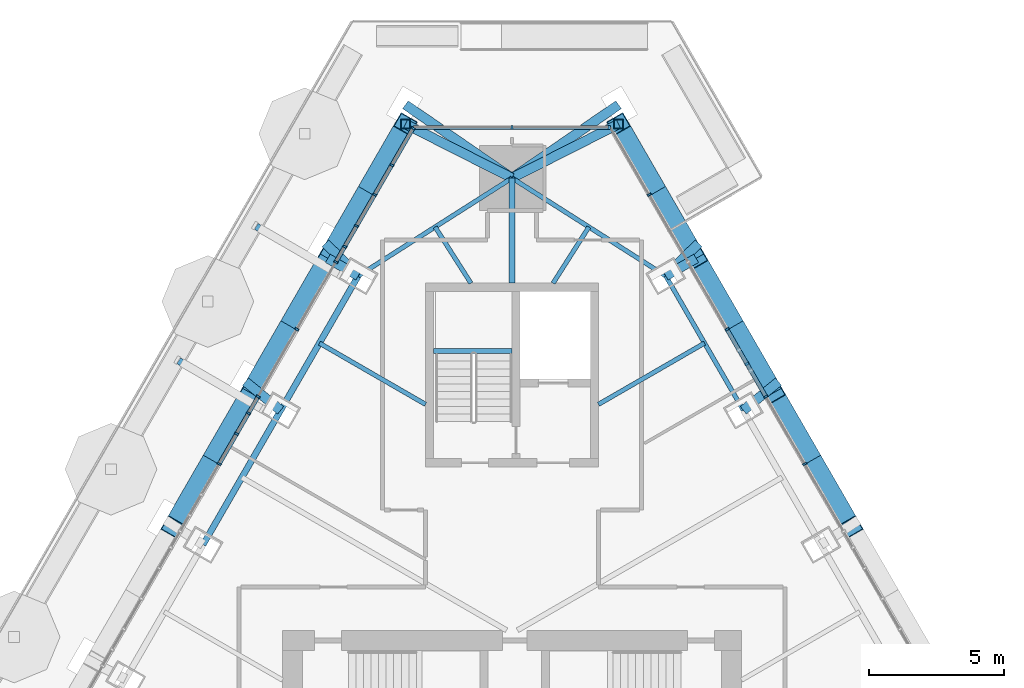
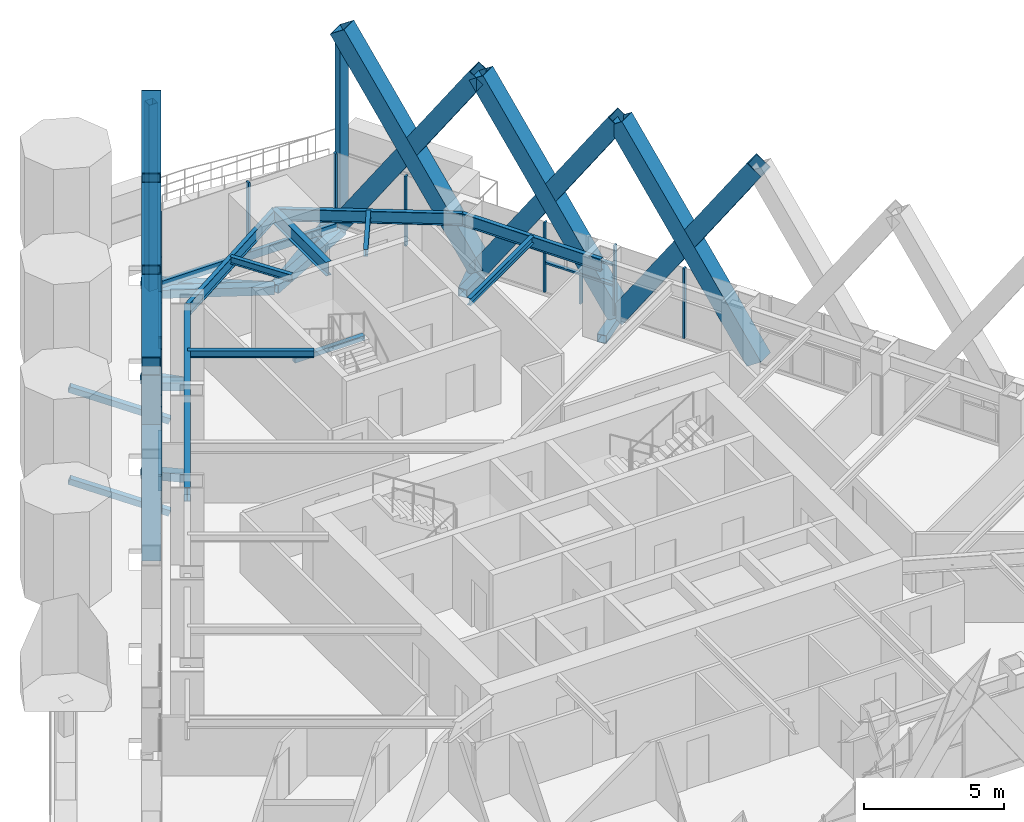
# One storey, part 7 of 24: 50 members, 10 beams, 3 elements without a shape of their own.
"""IFC4 building model written with IfcOpenShell, lengths in metres."""

from ifc_helpers import new_model, si_unit, direction, frame, origin, origin_2d, place, context, subcontext, project, spatial, rectangle, hollow_rectangle, i_section, extrude, material, layer, layer_set, material_profile, profile_set, type_object, element, aggregate, save


model = new_model("IFC4")

# Units and contexts
model_context = context("Model", 3, precision=1e-05, world=origin(), true_north=direction((0.0, 1.0)))
body_context = subcontext(model_context, "Body", "Model", "MODEL_VIEW")
ifc_project = project(units=[si_unit("LENGTHUNIT", "METRE"), si_unit("AREAUNIT", "SQUARE_METRE"), si_unit("VOLUMEUNIT", "CUBIC_METRE"), si_unit("PLANEANGLEUNIT", "RADIAN"), si_unit("MASSUNIT", "GRAM", prefix="KILO")], contexts=[model_context])

# Site, building, storey
site_placement = place(None, origin())
site = spatial("IfcSite", under=ifc_project, at=site_placement, CompositionType="ELEMENT")
building_placement = place(site_placement, origin())
building = spatial("IfcBuilding", under=site, at=building_placement, Name="Firuza Gate Tower and Library", CompositionType="ELEMENT")
storey_placement = place(building_placement, frame((0.0, 0.0, 323.10009765625)))
storey = spatial("IfcBuildingStorey", under=building, at=storey_placement, Name="L79", CompositionType="ELEMENT", Elevation=323.10009765625)

# Members
ifc_material_1 = material(Name="Steel S355", Category="steel")
ifc_material_profile_1 = material_profile(ifc_material_1, hollow_rectangle(XDim=0.699951171875, YDim=0.699951171875, WallThickness=0.030029296875, at=origin_2d()))
ifc_profile_set_1 = profile_set([ifc_material_profile_1], Name="Steel S355")
member_type_1 = type_object("IfcMemberType", Name="BU700x700x30 Lattice brace", PredefinedType="BRACE", material=ifc_profile_set_1)
for number, where, z_axis, x_axis, name in (
    (1, (87.5625, 85.569091796875, 0.0), (-0.279958234284, 0.484905557785, 0.828546913027), (-0.866027043304, -0.499997160258, 0.0), "Lattice brace E 21.5R"),
    (2, (84.6904296875, 90.543701171875, 0.0), (0.279958234284, -0.484905557785, 0.828546913027), (0.866027043304, 0.499997160258, 0.0), "Lattice brace E 21.5L"),
):
    element("IfcMember", number, at=place(storey_placement, frame(where, z_axis=z_axis, x_axis=x_axis)), inside=storey, type_object=member_type_1, Name=name, PredefinedType="BRACE", context=body_context, shape_type="SweptSolid", body=[
        extrude(hollow_rectangle(XDim=0.699951171875, YDim=0.699951171875, WallThickness=0.030029296875, at=origin_2d()), origin(), (0.0, 0.0, 1.0), 10.259033203125),
    ])
for number, where, z_axis, x_axis, name in (
    (3, (84.6904296875, 90.543701171875, 0.0), (-0.279961464902, 0.484887355268, 0.82855647416), (-0.866016417261, -0.500015564793, 0.0), "Lattice brace E 21.6R"),
    (4, (81.818359375, 95.51806640625, 0.0), (0.279961464902, -0.484887355268, 0.82855647416), (0.866016417261, 0.500015564793, 0.0), "Lattice brace E 21.6L"),
):
    element("IfcMember", number, at=place(storey_placement, frame(where, z_axis=z_axis, x_axis=x_axis)), inside=storey, type_object=member_type_1, Name=name, PredefinedType="BRACE", context=body_context, shape_type="SweptSolid", body=[
        extrude(hollow_rectangle(XDim=0.699951171875, YDim=0.699951171875, WallThickness=0.030029296875, at=origin_2d()), origin(), (0.0, 0.0, 1.0), 10.2587890625),
    ])
for number, where, z_axis, x_axis, name in (
    (5, (81.818359375, 95.51806640625, 0.0), (-0.279958234284, 0.484905557785, 0.828546913027), (-0.866027043304, -0.499997160258, 0.0), "Lattice brace E 21.7R"),
    (6, (78.9462890625, 100.49267578125, 0.0), (0.279958234284, -0.484905557785, 0.828546913027), (0.866027043304, 0.499997160258, 0.0), "Lattice brace E 21.7L"),
    (7, (71.0537109375, 100.49267578125, 0.0), (-0.279958234284, -0.484905557785, 0.828546913027), (0.866027043304, -0.499997160258, 0.0), "Lattice brace W 21.1R"),
    (8, (68.181640625, 95.51806640625, 0.0), (0.279958234284, 0.484905557785, 0.828546913027), (-0.866027043304, 0.499997160258, 0.0), "Lattice brace W 21.1L"),
):
    element("IfcMember", number, at=place(storey_placement, frame(where, z_axis=z_axis, x_axis=x_axis)), inside=storey, type_object=member_type_1, Name=name, PredefinedType="BRACE", context=body_context, shape_type="SweptSolid", body=[
        extrude(hollow_rectangle(XDim=0.699951171875, YDim=0.699951171875, WallThickness=0.030029296875, at=origin_2d()), origin(), (0.0, 0.0, 1.0), 10.259033203125),
    ])
for number, where, z_axis, x_axis, name in (
    (9, (68.181640625, 95.51806640625, 0.0), (-0.279961464902, -0.484887355268, 0.82855647416), (0.866016417261, -0.500015564793, 0.0), "Lattice brace W 21.2R"),
    (10, (65.3095703125, 90.543701171875, 0.0), (0.279961464902, 0.484887355268, 0.82855647416), (-0.866016417261, 0.500015564793, 0.0), "Lattice brace W 21.2L"),
):
    element("IfcMember", number, at=place(storey_placement, frame(where, z_axis=z_axis, x_axis=x_axis)), inside=storey, type_object=member_type_1, Name=name, PredefinedType="BRACE", context=body_context, shape_type="SweptSolid", body=[
        extrude(hollow_rectangle(XDim=0.699951171875, YDim=0.699951171875, WallThickness=0.030029296875, at=origin_2d()), origin(), (0.0, 0.0, 1.0), 10.2587890625),
    ])
for number, where, z_axis, x_axis, name in (
    (11, (65.3095703125, 90.543701171875, 0.0), (-0.279958234284, -0.484905557785, 0.828546913027), (0.866027043304, -0.499997160258, 0.0), "Lattice brace W 21.3R"),
    (12, (62.4375, 85.569091796875, 0.0), (0.279958234284, 0.484905557785, 0.828546913027), (-0.866027043304, 0.499997160258, 0.0), "Lattice brace W 21.3L"),
):
    element("IfcMember", number, at=place(storey_placement, frame(where, z_axis=z_axis, x_axis=x_axis)), inside=storey, type_object=member_type_1, Name=name, PredefinedType="BRACE", context=body_context, shape_type="SweptSolid", body=[
        extrude(hollow_rectangle(XDim=0.699951171875, YDim=0.699951171875, WallThickness=0.030029296875, at=origin_2d()), origin(), (0.0, 0.0, 1.0), 10.259033203125),
    ])

# Curtain wall, members
ifc_material_2 = material(Name="Aluminium 6063-T6", Category="aluminium")
ifc_layer_1 = layer(ifc_material_2, 0.14990234375)
ifc_layer_set_1 = layer_set([ifc_layer_1], Name="Unitised curtain wall, residences")
curtain_wall_type_1 = type_object("IfcCurtainWallType", Name="Unitised curtain wall, residences", PredefinedType="NOTDEFINED", material=ifc_layer_set_1)
placement = place(storey_placement, origin())
curtain_wall_1 = element("IfcCurtainWall", 13, at=placement, inside=storey, type_object=curtain_wall_type_1, Name="CW3 L79 E face", PredefinedType="NOTDEFINED")
ifc_material_3 = material(Name="Aluminium 6063-T6", Category="aluminium")
ifc_material_profile_2 = material_profile(ifc_material_3, rectangle(XDim=0.14990234375, YDim=0.080078125, at=origin_2d()))
ifc_profile_set_2 = profile_set([ifc_material_profile_2], Name="Aluminium 6063-T6")
member_type_2 = type_object("IfcMemberType", Name="Curtain wall mullion 80x150", PredefinedType="MULLION", material=ifc_profile_set_2)
member_1_placement = place(storey_placement, frame((85.8388671875, 87.904541015625, 0.14990234375), z_axis=(0.0, 0.0, 1.0), x_axis=(-0.866025403784, -0.5, 0.0)))
member_1 = element("IfcMember", 14, at=member_1_placement, type_object=member_type_2, Name="Mullion", PredefinedType="MULLION", context=body_context, shape_type="SweptSolid", body=[
    extrude(rectangle(XDim=0.14990234375, YDim=0.080078125, at=origin_2d()), origin(), (0.0, 0.0, 1.0), 3.050048828125),
])
member_2_placement = place(storey_placement, frame((84.399658203125, 90.397216796875, 0.14990234375), z_axis=(0.0, 0.0, 1.0), x_axis=(-0.866025403784, -0.5, 0.0)))
member_2 = element("IfcMember", 15, at=member_2_placement, type_object=member_type_2, Name="Mullion", PredefinedType="MULLION", context=body_context, shape_type="SweptSolid", body=[
    extrude(rectangle(XDim=0.14990234375, YDim=0.080078125, at=origin_2d()), origin(), (0.0, 0.0, 1.0), 3.050048828125),
])
member_3_placement = place(storey_placement, frame((82.960693359375, 92.889892578125, 0.14990234375), z_axis=(0.0, 0.0, 1.0), x_axis=(-0.866025403784, -0.5, 0.0)))
member_3 = element("IfcMember", 16, at=member_3_placement, type_object=member_type_2, Name="Mullion", PredefinedType="MULLION", context=body_context, shape_type="SweptSolid", body=[
    extrude(rectangle(XDim=0.14990234375, YDim=0.080078125, at=origin_2d()), origin(), (0.0, 0.0, 1.0), 3.050048828125),
])
member_4_placement = place(storey_placement, frame((80.082275390625, 97.875, 0.14990234375), z_axis=(0.0, 0.0, 1.0), x_axis=(-0.866025403784, -0.5, 0.0)))
member_4 = element("IfcMember", 17, at=member_4_placement, type_object=member_type_2, Name="Mullion", PredefinedType="MULLION", context=body_context, shape_type="SweptSolid", body=[
    extrude(rectangle(XDim=0.14990234375, YDim=0.080078125, at=origin_2d()), origin(), (0.0, 0.0, 1.0), 3.050048828125),
])
member_5_placement = place(storey_placement, frame((83.69873046875, 91.611083984375, 0.14990234375), z_axis=(0.0, 0.0, 1.0), x_axis=(-0.866025403784, -0.5, 0.0)))
member_5 = element("IfcMember", 18, at=member_5_placement, type_object=member_type_2, Name="Mullion", PredefinedType="MULLION", context=body_context, shape_type="SweptSolid", body=[
    extrude(rectangle(XDim=0.14990234375, YDim=0.080078125, at=origin_2d()), origin(), (0.0, 0.0, 1.0), 1.260009765625),
])

ifc_material_4 = material(Name="Aluminium 6063-T6", Category="aluminium")
ifc_layer_2 = layer(ifc_material_4, 0.14990234375)
ifc_layer_set_2 = layer_set([ifc_layer_2], Name="Corner curtain wall, chamfers")
curtain_wall_type_2 = type_object("IfcCurtainWallType", Name="Corner curtain wall, chamfers", PredefinedType="NOTDEFINED", material=ifc_layer_set_2)
curtain_wall_2 = element("IfcCurtainWall", 19, at=placement, inside=storey, type_object=curtain_wall_type_2, Name="CW4 L79 N corner", PredefinedType="NOTDEFINED")
member_6_placement = place(storey_placement, frame((78.603271484375, 100.36767578125, 0.14990234375), z_axis=(0.0, 0.0, 1.0), x_axis=(0.0, -1.0, 0.0)))
member_6 = element("IfcMember", 20, at=member_6_placement, type_object=member_type_2, Name="Mullion", PredefinedType="MULLION", context=body_context, shape_type="SweptSolid", body=[
    extrude(rectangle(XDim=0.14990234375, YDim=0.080078125, at=origin_2d()), origin(), (0.0, 0.0, 1.0), 3.050048828125),
])
member_7_placement = place(storey_placement, frame((75.0, 100.36767578125, 0.14990234375), z_axis=(0.0, 0.0, 1.0), x_axis=(0.0, -1.0, 0.0)))
member_7 = element("IfcMember", 21, at=member_7_placement, type_object=member_type_2, Name="Mullion", PredefinedType="MULLION", context=body_context, shape_type="SweptSolid", body=[
    extrude(rectangle(XDim=0.14990234375, YDim=0.080078125, at=origin_2d()), origin(), (0.0, 0.0, 1.0), 3.050048828125),
])

curtain_wall_3 = element("IfcCurtainWall", 22, at=placement, inside=storey, type_object=curtain_wall_type_1, Name="CW3 L79 W face", PredefinedType="NOTDEFINED")
member_8_placement = place(storey_placement, frame((71.336669921875, 100.3330078125, 0.14990234375), z_axis=(0.0, 0.0, 1.0), x_axis=(0.866025403784, -0.5, 0.0)))
member_8 = element("IfcMember", 23, at=member_8_placement, type_object=member_type_2, Name="Mullion", PredefinedType="MULLION", context=body_context, shape_type="SweptSolid", body=[
    extrude(rectangle(XDim=0.14990234375, YDim=0.080078125, at=origin_2d()), origin(), (0.0, 0.0, 1.0), 3.050048828125),
])
member_9_placement = place(storey_placement, frame((69.917724609375, 97.875, 0.14990234375), z_axis=(0.0, 0.0, 1.0), x_axis=(0.866025403784, -0.5, 0.0)))
member_9 = element("IfcMember", 24, at=member_9_placement, type_object=member_type_2, Name="Mullion", PredefinedType="MULLION", context=body_context, shape_type="SweptSolid", body=[
    extrude(rectangle(XDim=0.14990234375, YDim=0.080078125, at=origin_2d()), origin(), (0.0, 0.0, 1.0), 3.050048828125),
])
member_10_placement = place(storey_placement, frame((68.478515625, 95.38232421875, 0.14990234375), z_axis=(0.0, 0.0, 1.0), x_axis=(0.866025403784, -0.5, 0.0)))
member_10 = element("IfcMember", 25, at=member_10_placement, type_object=member_type_2, Name="Mullion", PredefinedType="MULLION", context=body_context, shape_type="SweptSolid", body=[
    extrude(rectangle(XDim=0.14990234375, YDim=0.080078125, at=origin_2d()), origin(), (0.0, 0.0, 1.0), 3.050048828125),
])
member_11_placement = place(storey_placement, frame((67.039306640625, 92.889892578125, 0.14990234375), z_axis=(0.0, 0.0, 1.0), x_axis=(0.866025403784, -0.5, 0.0)))
member_11 = element("IfcMember", 26, at=member_11_placement, type_object=member_type_2, Name="Mullion", PredefinedType="MULLION", context=body_context, shape_type="SweptSolid", body=[
    extrude(rectangle(XDim=0.14990234375, YDim=0.080078125, at=origin_2d()), origin(), (0.0, 0.0, 1.0), 3.050048828125),
])
member_12_placement = place(storey_placement, frame((65.600341796875, 90.397216796875, 0.14990234375), z_axis=(0.0, 0.0, 1.0), x_axis=(0.866025403784, -0.5, 0.0)))
member_12 = element("IfcMember", 27, at=member_12_placement, type_object=member_type_2, Name="Mullion", PredefinedType="MULLION", context=body_context, shape_type="SweptSolid", body=[
    extrude(rectangle(XDim=0.14990234375, YDim=0.080078125, at=origin_2d()), origin(), (0.0, 0.0, 1.0), 3.050048828125),
])
member_13_placement = place(storey_placement, frame((64.1611328125, 87.904541015625, 0.14990234375), z_axis=(0.0, 0.0, 1.0), x_axis=(0.866025403784, -0.5, 0.0)))
member_13 = element("IfcMember", 28, at=member_13_placement, type_object=member_type_2, Name="Mullion", PredefinedType="MULLION", context=body_context, shape_type="SweptSolid", body=[
    extrude(rectangle(XDim=0.14990234375, YDim=0.080078125, at=origin_2d()), origin(), (0.0, 0.0, 1.0), 3.050048828125),
])
member_14_placement = place(storey_placement, frame((70.548828125, 98.968505859375, 0.14990234375), z_axis=(0.0, 0.0, 1.0), x_axis=(0.866025403784, -0.5, 0.0)))
member_14 = element("IfcMember", 29, at=member_14_placement, type_object=member_type_2, Name="Mullion", PredefinedType="MULLION", context=body_context, shape_type="SweptSolid", body=[
    extrude(rectangle(XDim=0.14990234375, YDim=0.080078125, at=origin_2d()), origin(), (0.0, 0.0, 1.0), 1.485107421875),
])
member_15_placement = place(storey_placement, frame((69.249267578125, 96.71728515625, 0.14990234375), z_axis=(0.0, 0.0, 1.0), x_axis=(0.866025403784, -0.5, 0.0)))
member_15 = element("IfcMember", 30, at=member_15_placement, type_object=member_type_2, Name="Mullion", PredefinedType="MULLION", context=body_context, shape_type="SweptSolid", body=[
    extrude(rectangle(XDim=0.14990234375, YDim=0.080078125, at=origin_2d()), origin(), (0.0, 0.0, 1.0), 1.485107421875),
])
member_16_placement = place(storey_placement, frame((68.808837890625, 95.95458984375, 1.71484375), z_axis=(0.0, 0.0, 1.0), x_axis=(0.866025403784, -0.5, 0.0)))
member_16 = element("IfcMember", 31, at=member_16_placement, type_object=member_type_2, Name="Mullion", PredefinedType="MULLION", context=body_context, shape_type="SweptSolid", body=[
    extrude(rectangle(XDim=0.14990234375, YDim=0.080078125, at=origin_2d()), origin(), (0.0, 0.0, 1.0), 1.485107421875),
])
member_17_placement = place(storey_placement, frame((64.804931640625, 89.01953125, 0.14990234375), z_axis=(0.0, 0.0, 1.0), x_axis=(0.866025403784, -0.5, 0.0)))
member_17 = element("IfcMember", 32, at=member_17_placement, type_object=member_type_2, Name="Mullion", PredefinedType="MULLION", context=body_context, shape_type="SweptSolid", body=[
    extrude(rectangle(XDim=0.14990234375, YDim=0.080078125, at=origin_2d()), origin(), (0.0, 0.0, 1.0), 1.485107421875),
])
member_18_placement = place(storey_placement, frame((65.245361328125, 89.7822265625, 1.71484375), z_axis=(0.0, 0.0, 1.0), x_axis=(0.866025403784, -0.5, 0.0)))
member_18 = element("IfcMember", 33, at=member_18_placement, type_object=member_type_2, Name="Mullion", PredefinedType="MULLION", context=body_context, shape_type="SweptSolid", body=[
    extrude(rectangle(XDim=0.14990234375, YDim=0.080078125, at=origin_2d()), origin(), (0.0, 0.0, 1.0), 1.485107421875),
])

# Member
ifc_material_5 = material(Name="Aluminium 6063-T6", Category="aluminium")
ifc_material_profile_3 = material_profile(ifc_material_5, rectangle(XDim=0.14990234375, YDim=0.35009765625, at=origin_2d()))
ifc_profile_set_3 = profile_set([ifc_material_profile_3], Name="Aluminium 6063-T6")
member_type_3 = type_object("IfcMemberType", Name="Curtain wall transom 350x150", PredefinedType="USERDEFINED", material=ifc_profile_set_3)
member_19_placement = place(storey_placement, frame((78.643310546875, 100.36767578125, -0.025146484375), z_axis=(-1.0, 0.0, 0.0), x_axis=(0.0, -1.0, 0.0)))
member_19 = element("IfcMember", 34, at=member_19_placement, type_object=member_type_3, Name="Transom", ObjectType="TRANSOM", PredefinedType="USERDEFINED", context=body_context, shape_type="SweptSolid", body=[
    extrude(rectangle(XDim=0.14990234375, YDim=0.35009765625, at=origin_2d()), origin(), (0.0, 0.0, 1.0), 7.28662109375),
])

aggregate(curtain_wall_2, [member_6, member_7, member_19])

ifc_material_6 = material(Name="Aluminium 6063-T6", Category="aluminium")
ifc_material_profile_4 = material_profile(ifc_material_6, rectangle(XDim=0.14990234375, YDim=0.080078125, at=origin_2d()))
ifc_profile_set_4 = profile_set([ifc_material_profile_4], Name="Aluminium 6063-T6")
member_type_4 = type_object("IfcMemberType", Name="Curtain wall transom 80x150", PredefinedType="USERDEFINED", material=ifc_profile_set_4)
member_20_placement = place(storey_placement, frame((84.379638671875, 90.431884765625, 1.449951171875), z_axis=(-0.500014476097, 0.866017045845, 0.0), x_axis=(-0.866017045845, -0.500014476097, 0.0)))
member_20 = element("IfcMember", 35, at=member_20_placement, type_object=member_type_4, Name="Transom", ObjectType="TRANSOM", PredefinedType="USERDEFINED", context=body_context, shape_type="SweptSolid", body=[
    extrude(rectangle(XDim=0.14990234375, YDim=0.080078125, at=origin_2d()), origin(), (0.0, 0.0, 1.0), 2.79833984375),
])

member_21_placement = place(storey_placement, frame((84.379638671875, 90.431884765625, 2.324951171875), z_axis=(-0.500014476097, 0.866017045845, 0.0), x_axis=(-0.866017045845, -0.500014476097, 0.0)))
member_21 = element("IfcMember", 36, at=member_21_placement, type_object=member_type_4, Name="Transom", ObjectType="TRANSOM", PredefinedType="USERDEFINED", context=body_context, shape_type="SweptSolid", body=[
    extrude(rectangle(XDim=0.14990234375, YDim=0.080078125, at=origin_2d()), origin(), (0.0, 0.0, 1.0), 2.79833984375),
])

aggregate(curtain_wall_1, [member_1, member_2, member_3, member_4, member_5, member_20, member_21])

member_22_placement = place(storey_placement, frame((71.336669921875, 100.3330078125, 1.6748046875), z_axis=(-0.500014476097, -0.866017045845, 0.0), x_axis=(0.866017045845, -0.500014476097, 0.0)))
member_22 = element("IfcMember", 37, at=member_22_placement, type_object=member_type_4, Name="Transom", ObjectType="TRANSOM", PredefinedType="USERDEFINED", context=body_context, shape_type="SweptSolid", body=[
    extrude(rectangle(XDim=0.14990234375, YDim=0.080078125, at=origin_2d()), origin(), (0.0, 0.0, 1.0), 2.79833984375),
])

member_23_placement = place(storey_placement, frame((69.897705078125, 97.84033203125, 1.6748046875), z_axis=(-0.500014476097, -0.866017045845, 0.0), x_axis=(0.866017045845, -0.500014476097, 0.0)))
member_23 = element("IfcMember", 38, at=member_23_placement, type_object=member_type_4, Name="Transom", ObjectType="TRANSOM", PredefinedType="USERDEFINED", context=body_context, shape_type="SweptSolid", body=[
    extrude(rectangle(XDim=0.14990234375, YDim=0.080078125, at=origin_2d()), origin(), (0.0, 0.0, 1.0), 2.79833984375),
])

member_24_placement = place(storey_placement, frame((65.580322265625, 90.362548828125, 1.6748046875), z_axis=(-0.500014476097, -0.866017045845, 0.0), x_axis=(0.866017045845, -0.500014476097, 0.0)))
member_24 = element("IfcMember", 39, at=member_24_placement, type_object=member_type_4, Name="Transom", ObjectType="TRANSOM", PredefinedType="USERDEFINED", context=body_context, shape_type="SweptSolid", body=[
    extrude(rectangle(XDim=0.14990234375, YDim=0.080078125, at=origin_2d()), origin(), (0.0, 0.0, 1.0), 2.79833984375),
])

aggregate(curtain_wall_3, [member_8, member_9, member_10, member_11, member_12, member_13, member_14, member_22, member_15, member_16, member_23, member_17, member_18, member_24])

# Members
ifc_material_7 = material(Name="Steel S355", Category="steel")
ifc_material_profile_5 = material_profile(ifc_material_7, hollow_rectangle(XDim=0.25390625, YDim=0.25390625, WallThickness=0.01171875, at=origin_2d()))
ifc_profile_set_5 = profile_set([ifc_material_profile_5], Name="Steel S355")
member_type_5 = type_object("IfcMemberType", Name="HSS254x254x13 Tray strut", PredefinedType="BRACE", material=ifc_profile_set_5)
for number, where, z_axis, x_axis, name in (
    (40, (68.607421875, 94.92578125, -1.670166015625), (-0.807122458648, 0.466007352202, 0.362478253747), (-0.500012057535, -0.866018442252, 0.0), "Tray strut L79 col:L78:W1"),
    (41, (65.735595703125, 89.951416015625, -1.670166015625), (-0.807122458648, 0.466007352202, 0.362478253747), (-0.500012057535, -0.866018442252, 0.0), "Tray strut L79 col:L78:W2"),
):
    element("IfcMember", number, at=place(storey_placement, frame(where, z_axis=z_axis, x_axis=x_axis)), inside=storey, type_object=member_type_5, Name=name, PredefinedType="BRACE", context=body_context, shape_type="SweptSolid", body=[
        extrude(hollow_rectangle(XDim=0.25390625, YDim=0.25390625, WallThickness=0.01171875, at=origin_2d()), origin(), (0.0, 0.0, 1.0), 3.86279296875),
    ])
ifc_material_8 = material(Name="Steel S355", Category="steel")
ifc_material_profile_6 = material_profile(ifc_material_8, hollow_rectangle(XDim=0.355712890625, YDim=0.355712890625, WallThickness=0.014892578125, at=origin_2d()))
ifc_profile_set_6 = profile_set([ifc_material_profile_6], Name="Steel S355")
member_type_6 = type_object("IfcMemberType", Name="HSS356x356x16 Lattice corner stile", PredefinedType="BRACE", material=ifc_profile_set_6)
for number, where, z_axis, x_axis, name in (
    (42, (78.9462890625, 100.49267578125, -0.14013671875), (0.0, 0.0, 1.0), (1.0, 0.0, 0.0), "Lattice corner stile E 21.B"),
    (43, (71.0537109375, 100.49267578125, -0.14013671875), (0.0, 0.0, 1.0), (1.0, 0.0, 0.0), "Lattice corner stile W 21.A"),
):
    element("IfcMember", number, at=place(storey_placement, frame(where, z_axis=z_axis, x_axis=x_axis)), inside=storey, type_object=member_type_6, Name=name, PredefinedType="BRACE", context=body_context, shape_type="SweptSolid", body=[
        extrude(hollow_rectangle(XDim=0.355712890625, YDim=0.355712890625, WallThickness=0.014892578125, at=origin_2d()), origin(), (0.0, 0.0, 1.0), 8.14013671875),
    ])
ifc_material_9 = material(Name="Steel S355", Category="steel")
ifc_material_profile_7 = material_profile(ifc_material_9, hollow_rectangle(XDim=0.355712890625, YDim=0.355712890625, WallThickness=0.014892578125, at=origin_2d()))
ifc_profile_set_7 = profile_set([ifc_material_profile_7], Name="Steel S355")
member_type_7 = type_object("IfcMemberType", Name="HSS356x356x16 Lattice node tie", PredefinedType="BRACE", material=ifc_profile_set_7)
member_25_placement = place(storey_placement, frame((75.0, 98.49267578125, -0.320068359375), z_axis=(0.824226369594, 0.566260445084, 0.0), x_axis=(-0.566260445084, 0.824226369594, 0.0)))
element("IfcMember", 44, at=member_25_placement, inside=storey, type_object=member_type_7, Name="Lattice node tie E L79 565", PredefinedType="BRACE", context=body_context, shape_type="SweptSolid", body=[
    extrude(hollow_rectangle(XDim=0.355712890625, YDim=0.355712890625, WallThickness=0.014892578125, at=origin_2d()), origin(), (0.0, 0.0, 1.0), 4.787841796875),
])
member_26_placement = place(storey_placement, frame((75.0, 98.49267578125, -0.320068359375), z_axis=(0.891985934506, 0.452063151168, 0.0), x_axis=(-0.452063151168, 0.891985934506, 0.0)))
element("IfcMember", 45, at=member_26_placement, inside=storey, type_object=member_type_7, Name="Lattice node tie E L79 566", PredefinedType="BRACE", context=body_context, shape_type="SweptSolid", body=[
    extrude(hollow_rectangle(XDim=0.355712890625, YDim=0.355712890625, WallThickness=0.014892578125, at=origin_2d()), origin(), (0.0, 0.0, 1.0), 4.424072265625),
])
member_27_placement = place(storey_placement, frame((80.692626953125, 94.8681640625, -0.320068359375), z_axis=(0.70860164126, 0.7056087542, 0.0), x_axis=(-0.7056087542, 0.70860164126, 0.0)))
element("IfcMember", 46, at=member_27_placement, inside=storey, type_object=member_type_7, Name="Lattice node tie E L79 567", PredefinedType="BRACE", context=body_context, shape_type="SweptSolid", body=[
    extrude(hollow_rectangle(XDim=0.355712890625, YDim=0.355712890625, WallThickness=0.014892578125, at=origin_2d()), origin(), (0.0, 0.0, 1.0), 1.713134765625),
])
member_28_placement = place(storey_placement, frame((80.692626953125, 94.8681640625, -0.320068359375), z_axis=(0.86603858612, 0.49997716683, 0.0), x_axis=(-0.49997716683, 0.86603858612, 0.0)))
element("IfcMember", 47, at=member_28_placement, inside=storey, type_object=member_type_7, Name="Lattice node tie E L79 568", PredefinedType="BRACE", context=body_context, shape_type="SweptSolid", body=[
    extrude(hollow_rectangle(XDim=0.355712890625, YDim=0.355712890625, WallThickness=0.014892578125, at=origin_2d()), origin(), (0.0, 0.0, 1.0), 1.2998046875),
])
for number, where, z_axis, x_axis, name in (
    (48, (83.564697265625, 89.8935546875, -0.320068359375), (0.776416788861, 0.630219779105, 0.0), (-0.630219779105, 0.776416788861, 0.0), "Lattice node tie E L79 569"),
    (49, (66.435302734375, 89.8935546875, -0.320068359375), (-0.776416788861, 0.630219779105, 0.0), (-0.630219779105, -0.776416788861, 0.0), "Lattice node tie W L79 596"),
):
    element("IfcMember", number, at=place(storey_placement, frame(where, z_axis=z_axis, x_axis=x_axis)), inside=storey, type_object=member_type_7, Name=name, PredefinedType="BRACE", context=body_context, shape_type="SweptSolid", body=[
        extrude(hollow_rectangle(XDim=0.355712890625, YDim=0.355712890625, WallThickness=0.014892578125, at=origin_2d()), origin(), (0.0, 0.0, 1.0), 1.676513671875),
    ])
member_29_placement = place(storey_placement, frame((69.307373046875, 94.8681640625, -0.320068359375), z_axis=(-0.70860164126, 0.7056087542, 0.0), x_axis=(-0.7056087542, -0.70860164126, 0.0)))
element("IfcMember", 50, at=member_29_placement, inside=storey, type_object=member_type_7, Name="Lattice node tie W L79 597", PredefinedType="BRACE", context=body_context, shape_type="SweptSolid", body=[
    extrude(hollow_rectangle(XDim=0.355712890625, YDim=0.355712890625, WallThickness=0.014892578125, at=origin_2d()), origin(), (0.0, 0.0, 1.0), 1.713134765625),
])
member_30_placement = place(storey_placement, frame((69.307373046875, 94.8681640625, -0.320068359375), z_axis=(-0.86603858612, 0.49997716683, 0.0), x_axis=(-0.49997716683, -0.86603858612, 0.0)))
element("IfcMember", 51, at=member_30_placement, inside=storey, type_object=member_type_7, Name="Lattice node tie W L79 598", PredefinedType="BRACE", context=body_context, shape_type="SweptSolid", body=[
    extrude(hollow_rectangle(XDim=0.355712890625, YDim=0.355712890625, WallThickness=0.014892578125, at=origin_2d()), origin(), (0.0, 0.0, 1.0), 1.2998046875),
])
member_31_placement = place(storey_placement, frame((75.0, 98.49267578125, -0.320068359375), z_axis=(-0.824226369594, 0.566260445084, 0.0), x_axis=(-0.566260445084, -0.824226369594, 0.0)))
element("IfcMember", 52, at=member_31_placement, inside=storey, type_object=member_type_7, Name="Lattice node tie W L79 599", PredefinedType="BRACE", context=body_context, shape_type="SweptSolid", body=[
    extrude(hollow_rectangle(XDim=0.355712890625, YDim=0.355712890625, WallThickness=0.014892578125, at=origin_2d()), origin(), (0.0, 0.0, 1.0), 4.787841796875),
])
member_32_placement = place(storey_placement, frame((75.0, 98.49267578125, -0.320068359375), z_axis=(-0.891985934506, 0.452063151168, 0.0), x_axis=(-0.452063151168, -0.891985934506, 0.0)))
element("IfcMember", 53, at=member_32_placement, inside=storey, type_object=member_type_7, Name="Lattice node tie W L79 600", PredefinedType="BRACE", context=body_context, shape_type="SweptSolid", body=[
    extrude(hollow_rectangle(XDim=0.355712890625, YDim=0.355712890625, WallThickness=0.014892578125, at=origin_2d()), origin(), (0.0, 0.0, 1.0), 4.424072265625),
])

# Beams
ifc_material_10 = material(Name="Concrete C35/45", Category="concrete")
ifc_material_profile_8 = material_profile(ifc_material_10, rectangle(XDim=0.199951171875, YDim=0.199951171875, at=origin_2d()))
ifc_profile_set_8 = profile_set([ifc_material_profile_8], Name="Concrete C35/45")
beam_type_1 = type_object("IfcBeamType", Name="Stair landing bearer 200x200", PredefinedType="BEAM", material=ifc_profile_set_8)
beam_1_placement = place(storey_placement, frame((75.0, 92.090087890625, 1.449951171875), z_axis=(-1.0, 0.0, 0.0), x_axis=(0.0, -1.0, 0.0)))
element("IfcBeam", 54, at=beam_1_placement, inside=storey, type_object=beam_type_1, Name="Landing bearer L79 stair 3", PredefinedType="BEAM", context=body_context, shape_type="SweptSolid", body=[
    extrude(rectangle(XDim=0.199951171875, YDim=0.199951171875, at=origin_2d()), origin(), (0.0, 0.0, 1.0), 2.89990234375),
])
ifc_material_11 = material(Name="Steel S355", Category="steel")
ifc_material_profile_9 = material_profile(ifc_material_11, i_section(OverallWidth=0.1650390625, OverallDepth=0.31005859375, WebThickness=0.005859375, FlangeThickness=0.009765625, at=origin_2d()))
ifc_profile_set_9 = profile_set([ifc_material_profile_9], Name="Steel S355")
beam_type_2 = type_object("IfcBeamType", Name="W310x39 Floor beam", PredefinedType="JOIST", material=ifc_profile_set_9)
beam_2_placement = place(storey_placement, frame((82.128662109375, 92.380859375, 3.044921875), z_axis=(-0.866042194538, -0.499970916434, 0.0), x_axis=(0.499970916434, -0.866042194538, 0.0)))
element("IfcBeam", 55, at=beam_2_placement, inside=storey, type_object=beam_type_2, Name="Floor beam L79 s54", PredefinedType="JOIST", context=body_context, shape_type="SweptSolid", body=[
    extrude(i_section(OverallWidth=0.1650390625, OverallDepth=0.31005859375, WebThickness=0.005859375, FlangeThickness=0.009765625, at=origin_2d()), origin(), (0.0, 0.0, 1.0), 4.536376953125),
])
for number, where, z_axis, x_axis, name in (
    (56, (77.84619140625, 96.680419921875, 3.044921875), (-0.537054838033, -0.843547331775, 0.0), (0.843547331775, -0.537054838033, 0.0), "Floor beam L79 s60"),
    (57, (72.15380859375, 96.680419921875, 3.044921875), (0.537054838033, -0.843547331775, 0.0), (0.843547331775, 0.537054838033, 0.0), "Floor beam L79 s70"),
):
    element("IfcBeam", number, at=place(storey_placement, frame(where, z_axis=z_axis, x_axis=x_axis)), inside=storey, type_object=beam_type_2, Name=name, PredefinedType="JOIST", context=body_context, shape_type="SweptSolid", body=[
        extrude(i_section(OverallWidth=0.1650390625, OverallDepth=0.31005859375, WebThickness=0.005859375, FlangeThickness=0.009765625, at=origin_2d()), origin(), (0.0, 0.0, 1.0), 2.466064453125),
    ])
beam_3_placement = place(storey_placement, frame((67.871337890625, 92.380859375, 3.044921875), z_axis=(0.866042194538, -0.499970916434, 0.0), x_axis=(0.499970916434, 0.866042194538, 0.0)))
element("IfcBeam", 58, at=beam_3_placement, inside=storey, type_object=beam_type_2, Name="Floor beam L79 s80", PredefinedType="JOIST", context=body_context, shape_type="SweptSolid", body=[
    extrude(i_section(OverallWidth=0.1650390625, OverallDepth=0.31005859375, WebThickness=0.005859375, FlangeThickness=0.009765625, at=origin_2d()), origin(), (0.0, 0.0, 1.0), 4.536376953125),
])
ifc_material_12 = material(Name="Steel S355", Category="steel")
ifc_material_profile_10 = material_profile(ifc_material_12, i_section(OverallWidth=0.166015625, OverallDepth=0.534912109375, WebThickness=0.01025390625, FlangeThickness=0.0166015625, at=origin_2d()))
ifc_profile_set_10 = profile_set([ifc_material_profile_10], Name="Steel S355")
beam_type_3 = type_object("IfcBeamType", Name="W530x85 Edge beam", PredefinedType="SPANDREL", material=ifc_profile_set_10)
beam_4_placement = place(storey_placement, frame((83.564697265625, 89.8935546875, 2.932373046875), z_axis=(-0.499997160258, 0.866027043304, 0.0), x_axis=(-0.866027043304, -0.499997160258, 0.0)))
element("IfcBeam", 59, at=beam_4_placement, inside=storey, type_object=beam_type_3, Name="Edge beam L79 e54", PredefinedType="SPANDREL", context=body_context, shape_type="SweptSolid", body=[
    extrude(i_section(OverallWidth=0.166015625, OverallDepth=0.534912109375, WebThickness=0.01025390625, FlangeThickness=0.0166015625, at=origin_2d()), origin(), (0.0, 0.0, 1.0), 5.744140625),
])
for number, where, z_axis, x_axis, name in (
    (60, (80.692626953125, 94.8681640625, 2.932373046875), (-0.843531865482, 0.537079130032, 0.0), (-0.537079130032, -0.843531865482, 0.0), "Edge beam L79 e60"),
    (61, (75.0, 98.49267578125, 2.932373046875), (-0.843531865482, -0.537079130032, 0.0), (0.537079130032, -0.843531865482, 0.0), "Edge beam L79 e70"),
):
    element("IfcBeam", number, at=place(storey_placement, frame(where, z_axis=z_axis, x_axis=x_axis)), inside=storey, type_object=beam_type_3, Name=name, PredefinedType="SPANDREL", context=body_context, shape_type="SweptSolid", body=[
        extrude(i_section(OverallWidth=0.166015625, OverallDepth=0.534912109375, WebThickness=0.01025390625, FlangeThickness=0.0166015625, at=origin_2d()), origin(), (0.0, 0.0, 1.0), 6.74853515625),
    ])
ifc_material_13 = material(Name="Steel S355", Category="steel")
ifc_material_profile_11 = material_profile(ifc_material_13, i_section(OverallWidth=0.22802734375, OverallDepth=0.60302734375, WebThickness=0.010498046875, FlangeThickness=0.014892578125, at=origin_2d()))
ifc_profile_set_11 = profile_set([ifc_material_profile_11], Name="Steel S355")
beam_type_4 = type_object("IfcBeamType", Name="W610x101 Girder", PredefinedType="BEAM", material=ifc_profile_set_11)
beam_5_placement = place(storey_placement, frame((75.0, 98.49267578125, 2.8984375), z_axis=(0.0, -1.0, 0.0), x_axis=(1.0, 0.0, 0.0)))
element("IfcBeam", 62, at=beam_5_placement, inside=storey, type_object=beam_type_4, Name="Girder L79 gN", PredefinedType="BEAM", context=body_context, shape_type="SweptSolid", body=[
    extrude(i_section(OverallWidth=0.22802734375, OverallDepth=0.60302734375, WebThickness=0.010498046875, FlangeThickness=0.014892578125, at=origin_2d()), origin(), (0.0, 0.0, 1.0), 3.892578125),
])
ifc_material_14 = material(Name="Steel S355", Category="steel")
ifc_material_profile_12 = material_profile(ifc_material_14, i_section(OverallWidth=0.22900390625, OverallDepth=0.612060546875, WebThickness=0.011962890625, FlangeThickness=0.01953125, at=origin_2d()))
ifc_profile_set_12 = profile_set([ifc_material_profile_12], Name="Steel S355")
beam_type_5 = type_object("IfcBeamType", Name="W610x125 Edge beam", PredefinedType="SPANDREL", material=ifc_profile_set_12)
beam_6_placement = place(storey_placement, frame((69.307373046875, 94.8681640625, 2.893798828125), z_axis=(-0.499990423607, -0.866030932647, 0.0), x_axis=(0.866030932647, -0.499990423607, 0.0)))
element("IfcBeam", 63, at=beam_6_placement, inside=storey, type_object=beam_type_5, Name="Edge beam L79 e80", PredefinedType="SPANDREL", context=body_context, shape_type="SweptSolid", body=[
    extrude(i_section(OverallWidth=0.22900390625, OverallDepth=0.612060546875, WebThickness=0.011962890625, FlangeThickness=0.01953125, at=origin_2d()), origin(), (0.0, 0.0, 1.0), 11.488037109375),
])

save(model, "model.ifc")
